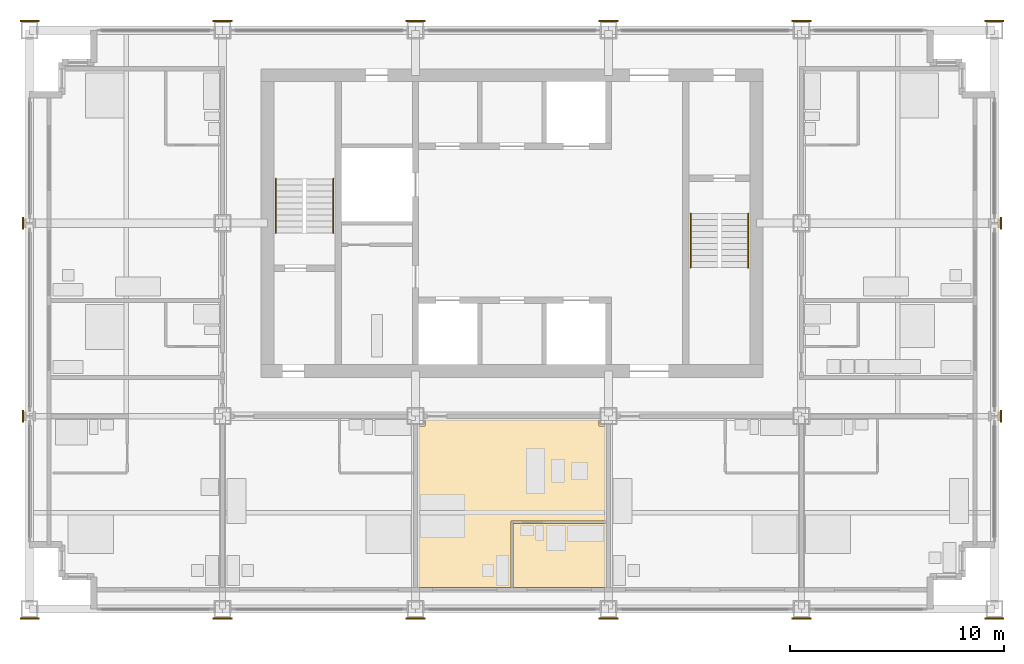
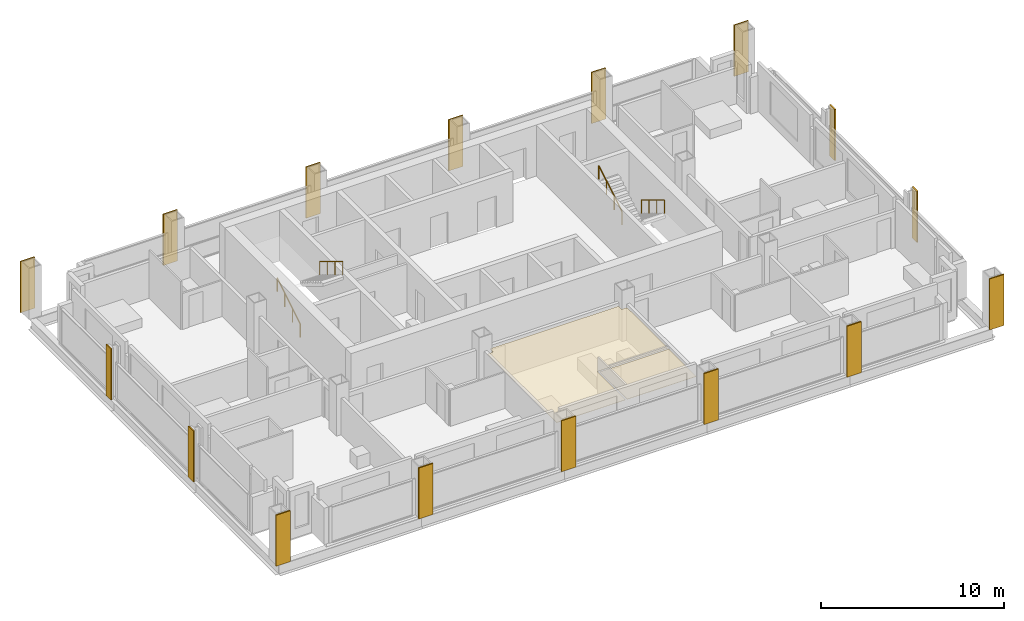
# One storey, part 11 of 13: 18 coverings, 4 railings.
"""IFC4 building model written with IfcOpenShell, lengths in metres."""

from ifc_helpers import new_model, si_unit, direction, frame, origin, origin_2d, place, context, subcontext, project, spatial, polyline, rectangle, circle, outline, extrude, material, layer, layer_set, type_object, element, save


model = new_model("IFC4")

# Units and contexts
model_context = context("Model", 3, precision=1e-05, world=origin(), true_north=direction((0.0, 1.0)))
body_context = subcontext(model_context, "Body", "Model", "MODEL_VIEW")
ifc_project = project(units=[si_unit("LENGTHUNIT", "METRE"), si_unit("AREAUNIT", "SQUARE_METRE"), si_unit("VOLUMEUNIT", "CUBIC_METRE"), si_unit("PLANEANGLEUNIT", "RADIAN"), si_unit("MASSUNIT", "GRAM", prefix="KILO")], contexts=[model_context])

# Site, building, storey
site_placement = place(None, origin())
site = spatial("IfcSite", under=ifc_project, at=site_placement, CompositionType="ELEMENT")
building_placement = place(site_placement, origin())
building = spatial("IfcBuilding", under=site, at=building_placement, Name="Loomwork Tower", CompositionType="ELEMENT")
storey_placement = place(building_placement, frame((0.0, 0.0, 174.0)))
storey = spatial("IfcBuildingStorey", under=building, at=storey_placement, Name="L47", CompositionType="ELEMENT", Elevation=174.0)

# Railings
ifc_material_1 = material(Name="Stainless steel handrail", Category="steel")
railing_type = type_object("IfcRailingType", Name="Handrail 900", PredefinedType="HANDRAIL", material=ifc_material_1)
railing_1_placement = place(storey_placement, frame((11.485107421875, 17.550048828125, 0.169921875)))
element("IfcRailing", 1, at=railing_1_placement, inside=storey, type_object=railing_type, Name="Stair A handrail flight 1 L47", PredefinedType="HANDRAIL", context=body_context, shape_type="SweptSolid", body=[
    extrude(circle(Radius=0.02392578125, at=origin_2d()), frame((0.0, 0.0, 0.8759765625), z_axis=(0.0, 0.85478489116, 0.518982456201), x_axis=(-1.0, 0.0, 0.0)), (0.0, 0.0, 1.0), 2.9482421875),
    extrude(circle(Radius=0.02099609375, at=origin_2d()), origin(), (0.0, 0.0, 1.0), 0.851806640625),
    extrude(circle(Radius=0.02099609375, at=origin_2d()), frame((0.0, 0.840087890625, 0.510009765625)), (0.0, 0.0, 1.0), 0.851806640625),
    extrude(circle(Radius=0.02099609375, at=origin_2d()), frame((0.0, 1.679931640625, 1.02001953125)), (0.0, 0.0, 1.0), 0.851806640625),
    extrude(circle(Radius=0.02099609375, at=origin_2d()), frame((0.0, 2.52001953125, 1.530029296875)), (0.0, 0.0, 1.0), 0.851806640625),
])
railing_2_placement = place(storey_placement, frame((14.1650390625, 20.070068359375, 1.8701171875)))
element("IfcRailing", 2, at=railing_2_placement, inside=storey, type_object=railing_type, Name="Stair A handrail flight 2 L47", PredefinedType="HANDRAIL", context=body_context, shape_type="SweptSolid", body=[
    extrude(circle(Radius=0.02392578125, at=origin_2d()), frame((0.0, 0.0, 0.8759765625), z_axis=(0.0, -0.854821627497, 0.518921945155), x_axis=(1.0, 0.0, 0.0)), (0.0, 0.0, 1.0), 2.947998046875),
    extrude(circle(Radius=0.02099609375, at=origin_2d()), origin(), (0.0, 0.0, 1.0), 0.851806640625),
    extrude(circle(Radius=0.02099609375, at=origin_2d()), frame((0.0, -0.840087890625, 0.510009765625)), (0.0, 0.0, 1.0), 0.851806640625),
    extrude(circle(Radius=0.02099609375, at=origin_2d()), frame((0.0, -1.679931640625, 1.019775390625)), (0.0, 0.0, 1.0), 0.851806640625),
    extrude(circle(Radius=0.02099609375, at=origin_2d()), frame((0.0, -2.52001953125, 1.52978515625)), (0.0, 0.0, 1.0), 0.851806640625),
])
railing_3_placement = place(storey_placement, frame((33.514892578125, 18.449951171875, 0.169921875)))
element("IfcRailing", 3, at=railing_3_placement, inside=storey, type_object=railing_type, Name="Stair B handrail flight 1 L47", PredefinedType="HANDRAIL", context=body_context, shape_type="SweptSolid", body=[
    extrude(circle(Radius=0.02392578125, at=origin_2d()), frame((0.0, 0.0, 0.8759765625), z_axis=(0.0, -0.85478489116, 0.518982456201), x_axis=(1.0, 0.0, 0.0)), (0.0, 0.0, 1.0), 2.9482421875),
    extrude(circle(Radius=0.02099609375, at=origin_2d()), origin(), (0.0, 0.0, 1.0), 0.851806640625),
    extrude(circle(Radius=0.02099609375, at=origin_2d()), frame((0.0, -0.840087890625, 0.510009765625)), (0.0, 0.0, 1.0), 0.851806640625),
    extrude(circle(Radius=0.02099609375, at=origin_2d()), frame((0.0, -1.679931640625, 1.02001953125)), (0.0, 0.0, 1.0), 0.851806640625),
    extrude(circle(Radius=0.02099609375, at=origin_2d()), frame((0.0, -2.52001953125, 1.530029296875)), (0.0, 0.0, 1.0), 0.851806640625),
])
railing_4_placement = place(storey_placement, frame((30.8349609375, 15.929931640625, 1.8701171875)))
element("IfcRailing", 4, at=railing_4_placement, inside=storey, type_object=railing_type, Name="Stair B handrail flight 2 L47", PredefinedType="HANDRAIL", context=body_context, shape_type="SweptSolid", body=[
    extrude(circle(Radius=0.02392578125, at=origin_2d()), frame((0.0, 0.0, 0.8759765625), z_axis=(0.0, 0.854821627497, 0.518921945155), x_axis=(-1.0, 0.0, 0.0)), (0.0, 0.0, 1.0), 2.947998046875),
    extrude(circle(Radius=0.02099609375, at=origin_2d()), origin(), (0.0, 0.0, 1.0), 0.851806640625),
    extrude(circle(Radius=0.02099609375, at=origin_2d()), frame((0.0, 0.840087890625, 0.510009765625)), (0.0, 0.0, 1.0), 0.851806640625),
    extrude(circle(Radius=0.02099609375, at=origin_2d()), frame((0.0, 1.679931640625, 1.019775390625)), (0.0, 0.0, 1.0), 0.851806640625),
    extrude(circle(Radius=0.02099609375, at=origin_2d()), frame((0.0, 2.52001953125, 1.52978515625)), (0.0, 0.0, 1.0), 0.851806640625),
])

# Coverings
ifc_material_2 = material(Name="Limestone", Category="masonry")
ifc_layer_1 = layer(ifc_material_2, 0.080078125)
ifc_layer_set_1 = layer_set([ifc_layer_1], Name="Limestone pier facing 80")
covering_type_1 = type_object("IfcCoveringType", Name="Limestone pier facing 80", PredefinedType="CLADDING", material=ifc_layer_set_1)
covering_1_placement = place(storey_placement, frame((0.0, -0.43994140625, 0.0), z_axis=(0.0, 0.0, 1.0), x_axis=(1.0, 0.0, 0.0)))
element("IfcCovering", 5, at=covering_1_placement, inside=storey, type_object=covering_type_1, Name="Pier facing D/2 L47", PredefinedType="CLADDING", context=body_context, shape_type="SweptSolid", body=[
    extrude(rectangle(XDim=0.89990234375, YDim=0.080078125, at=origin_2d()), origin(), (0.0, 0.0, 1.0), 3.39990234375),
])
for number, where, z_axis, x_axis, name in (
    (6, (-0.314208984375, 9.0, 0.0), (0.0, 0.0, 1.0), (1.0, 0.0, 0.0), "Pier facing E/2 L47"),
    (7, (-0.314208984375, 18.0, 0.0), (0.0, 0.0, 1.0), (1.0, 0.0, 0.0), "Pier facing F/2 L47"),
):
    element("IfcCovering", number, at=place(storey_placement, frame(where, z_axis=z_axis, x_axis=x_axis)), inside=storey, type_object=covering_type_1, Name=name, PredefinedType="CLADDING", context=body_context, shape_type="SweptSolid", body=[
        extrude(rectangle(XDim=0.080078125, YDim=0.549560546875, at=origin_2d()), origin(), (0.0, 0.0, 1.0), 3.39990234375),
    ])
for number, where, z_axis, x_axis, name in (
    (8, (0.0, 27.43994140625, 0.0), (0.0, 0.0, 1.0), (1.0, 0.0, 0.0), "Pier facing G/2 L47"),
    (9, (9.0, -0.43994140625, 0.0), (0.0, 0.0, 1.0), (1.0, 0.0, 0.0), "Pier facing D/3 L47"),
    (10, (9.0, 27.43994140625, 0.0), (0.0, 0.0, 1.0), (1.0, 0.0, 0.0), "Pier facing G/3 L47"),
    (11, (18.0, -0.43994140625, 0.0), (0.0, 0.0, 1.0), (1.0, 0.0, 0.0), "Pier facing D/4 L47"),
    (12, (18.0, 27.43994140625, 0.0), (0.0, 0.0, 1.0), (1.0, 0.0, 0.0), "Pier facing G/4 L47"),
    (13, (27.0, -0.43994140625, 0.0), (0.0, 0.0, 1.0), (1.0, 0.0, 0.0), "Pier facing D/5 L47"),
    (14, (27.0, 27.43994140625, 0.0), (0.0, 0.0, 1.0), (1.0, 0.0, 0.0), "Pier facing G/5 L47"),
    (15, (36.0, -0.43994140625, 0.0), (0.0, 0.0, 1.0), (1.0, 0.0, 0.0), "Pier facing D/6 L47"),
    (16, (36.0, 27.43994140625, 0.0), (0.0, 0.0, 1.0), (1.0, 0.0, 0.0), "Pier facing G/6 L47"),
    (17, (45.0, -0.43994140625, 0.0), (0.0, 0.0, 1.0), (1.0, 0.0, 0.0), "Pier facing D/7 L47"),
):
    element("IfcCovering", number, at=place(storey_placement, frame(where, z_axis=z_axis, x_axis=x_axis)), inside=storey, type_object=covering_type_1, Name=name, PredefinedType="CLADDING", context=body_context, shape_type="SweptSolid", body=[
        extrude(rectangle(XDim=0.89990234375, YDim=0.080078125, at=origin_2d()), origin(), (0.0, 0.0, 1.0), 3.39990234375),
    ])
for number, where, z_axis, x_axis, name in (
    (18, (45.314208984375, 9.0, 0.0), (0.0, 0.0, 1.0), (1.0, 0.0, 0.0), "Pier facing E/7 L47"),
    (19, (45.314208984375, 18.0, 0.0), (0.0, 0.0, 1.0), (1.0, 0.0, 0.0), "Pier facing F/7 L47"),
):
    element("IfcCovering", number, at=place(storey_placement, frame(where, z_axis=z_axis, x_axis=x_axis)), inside=storey, type_object=covering_type_1, Name=name, PredefinedType="CLADDING", context=body_context, shape_type="SweptSolid", body=[
        extrude(rectangle(XDim=0.080078125, YDim=0.549560546875, at=origin_2d()), origin(), (0.0, 0.0, 1.0), 3.39990234375),
    ])
covering_2_placement = place(storey_placement, frame((45.0, 27.43994140625, 0.0), z_axis=(0.0, 0.0, 1.0), x_axis=(1.0, 0.0, 0.0)))
element("IfcCovering", 20, at=covering_2_placement, inside=storey, type_object=covering_type_1, Name="Pier facing G/7 L47", PredefinedType="CLADDING", context=body_context, shape_type="SweptSolid", body=[
    extrude(rectangle(XDim=0.89990234375, YDim=0.080078125, at=origin_2d()), origin(), (0.0, 0.0, 1.0), 3.39990234375),
])
ifc_material_3 = material(Name="Mineral fibre acoustic tile on suspension grid")
ifc_layer_2 = layer(ifc_material_3, 0.02490234375)
ifc_layer_set_2 = layer_set([ifc_layer_2], Name="Suspended acoustic ceiling")
covering_type_2 = type_object("IfcCoveringType", Name="Suspended acoustic ceiling", PredefinedType="CEILING", material=ifc_layer_set_2)
covering_3_placement = place(storey_placement, frame((0.0, 0.0, 2.175048828125)))
element("IfcCovering", 21, at=covering_3_placement, inside=storey, type_object=covering_type_2, Name="Ceiling Spa bathroom L47", PredefinedType="CEILING", context=body_context, shape_type="SweptSolid", body=[
    extrude(outline(polyline([(26.89990234375, 4.0), (26.89990234375, 1.0), (22.550048828125, 1.0), (22.550048828125, 4.0), (26.89990234375, 4.0)])), origin(), (0.0, 0.0, 1.0), 0.02490234375),
])
covering_4_placement = place(storey_placement, frame((0.0, 0.0, 2.175048828125)))
element("IfcCovering", 22, at=covering_4_placement, inside=storey, type_object=covering_type_2, Name="Ceiling Spa suite L47", PredefinedType="CEILING", context=body_context, shape_type="SweptSolid", body=[
    extrude(outline(polyline([(26.550048828125, 8.89990234375), (26.550048828125, 8.550048828125), (26.89990234375, 8.550048828125), (26.89990234375, 4.10009765625), (22.449951171875, 4.10009765625), (22.449951171875, 1.0), (18.10009765625, 1.0), (18.10009765625, 8.550048828125), (18.449951171875, 8.550048828125), (18.449951171875, 8.89990234375), (26.550048828125, 8.89990234375)])), origin(), (0.0, 0.0, 1.0), 0.02490234375),
])

save(model, "model.ifc")
